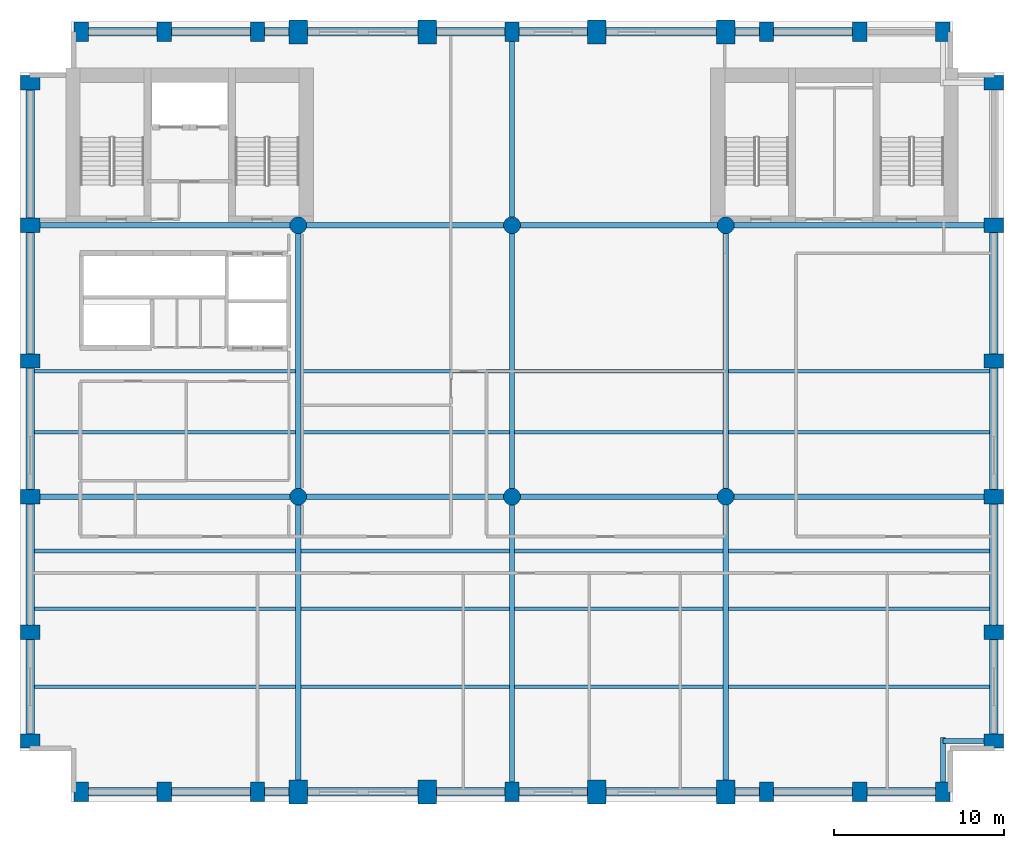
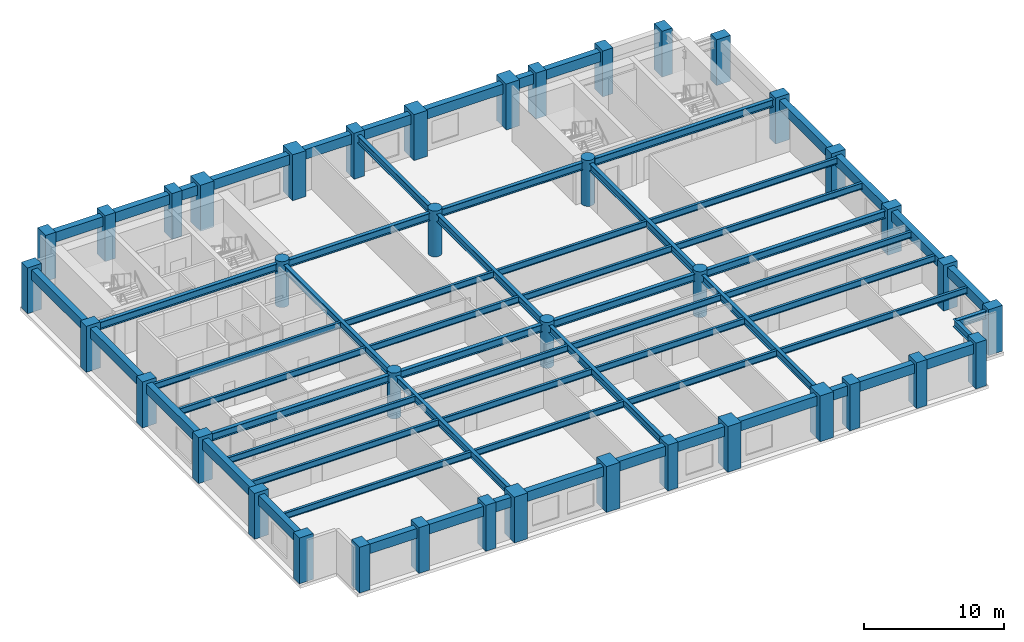
# One storey, part 1 of 8: 65 beams, 40 columns.
"""IFC4 building model written with IfcOpenShell, lengths in metres."""

from ifc_helpers import new_model, si_unit, direction, frame, origin, origin_2d, place, context, subcontext, project, spatial, rectangle, circle, i_section, extrude, material, material_profile, profile_set, type_object, element, save


model = new_model("IFC4")

# Units and contexts
model_context = context("Model", 3, precision=1e-05, world=origin(), true_north=direction((0.0, 1.0)))
body_context = subcontext(model_context, "Body", "Model", "MODEL_VIEW")
ifc_project = project(units=[si_unit("LENGTHUNIT", "METRE"), si_unit("AREAUNIT", "SQUARE_METRE"), si_unit("VOLUMEUNIT", "CUBIC_METRE"), si_unit("PLANEANGLEUNIT", "RADIAN"), si_unit("MASSUNIT", "GRAM", prefix="KILO")], contexts=[model_context])

# Site, building, storey
site_placement = place(None, origin())
site = spatial("IfcSite", under=ifc_project, at=site_placement, CompositionType="ELEMENT")
building_placement = place(site_placement, origin())
building = spatial("IfcBuilding", under=site, at=building_placement, Name="Sulina Concourse Tower", CompositionType="ELEMENT")
storey_placement = place(building_placement, frame((0.0, 0.0, 116.60009765625)))
storey = spatial("IfcBuildingStorey", under=building, at=storey_placement, Name="L28", CompositionType="ELEMENT", Elevation=116.60009765625)

# Columns
ifc_material_1 = material(Name="Concrete C60/75", Category="concrete")
ifc_material_profile_1 = material_profile(ifc_material_1, circle(Radius=0.5, at=origin_2d()), Name="RC D1000")
ifc_profile_set_1 = profile_set([ifc_material_profile_1], Name="Concrete C60/75")
column_type_1 = type_object("IfcColumnType", Name="Lower Interior Circular Column D1000", PredefinedType="COLUMN", material=ifc_profile_set_1)
for number, where, z_axis, x_axis, name in (
    (1, (16.39990234375, 18.0, 0.0), (0.0, 0.0, 1.0), (1.0, 0.0, 0.0), "L28 structural column IC-M-164"),
    (2, (16.39990234375, 34.0, 0.0), (0.0, 0.0, 1.0), (1.0, 0.0, 0.0), "L28 structural column IC-N-164"),
    (3, (29.0, 18.0, 0.0), (0.0, 0.0, 1.0), (1.0, 0.0, 0.0), "L28 structural column IC-M-290"),
    (4, (29.0, 34.0, 0.0), (0.0, 0.0, 1.0), (1.0, 0.0, 0.0), "L28 structural column IC-N-290"),
    (5, (41.60009765625, 18.0, 0.0), (0.0, 0.0, 1.0), (1.0, 0.0, 0.0), "L28 structural column IC-M-416"),
    (6, (41.60009765625, 34.0, 0.0), (0.0, 0.0, 1.0), (1.0, 0.0, 0.0), "L28 structural column IC-N-416"),
):
    element("IfcColumn", number, at=place(storey_placement, frame(where, z_axis=z_axis, x_axis=x_axis)), inside=storey, type_object=column_type_1, Name=name, PredefinedType="COLUMN", context=body_context, shape_type="SweptSolid", body=[
        extrude(circle(Radius=0.5, at=origin_2d()), origin(), (0.0, 0.0, 1.0), 4.0),
    ])
ifc_material_2 = material(Name="Concrete C60/75", Category="concrete")
ifc_material_profile_2 = material_profile(ifc_material_2, rectangle(XDim=1.10009765625, YDim=1.39990234375, at=origin_2d()), Name="RC 1100x1400")
ifc_profile_set_2 = profile_set([ifc_material_profile_2], Name="Concrete C60/75")
column_type_2 = type_object("IfcColumnType", Name="Mid-Rise Portal Column 1100x1400", PredefinedType="COLUMN", material=ifc_profile_set_2)
for number, where, z_axis, x_axis, name in (
    (7, (16.39990234375, 0.60009765625, 0.0), (0.0, 0.0, 1.0), (1.0, 0.0, 0.0), "L28 structural column TP-S-164"),
    (8, (16.39990234375, 45.39990234375, 0.0), (0.0, 0.0, 1.0), (1.0, 0.0, 0.0), "L28 structural column TP-N-164"),
    (9, (24.0, 0.60009765625, 0.0), (0.0, 0.0, 1.0), (1.0, 0.0, 0.0), "L28 structural column TP-S-240"),
    (10, (24.0, 45.39990234375, 0.0), (0.0, 0.0, 1.0), (1.0, 0.0, 0.0), "L28 structural column TP-N-240"),
    (11, (34.0, 0.60009765625, 0.0), (0.0, 0.0, 1.0), (1.0, 0.0, 0.0), "L28 structural column TP-S-340"),
    (12, (34.0, 45.39990234375, 0.0), (0.0, 0.0, 1.0), (1.0, 0.0, 0.0), "L28 structural column TP-N-340"),
    (13, (41.60009765625, 0.60009765625, 0.0), (0.0, 0.0, 1.0), (1.0, 0.0, 0.0), "L28 structural column TP-S-416"),
    (14, (41.60009765625, 45.39990234375, 0.0), (0.0, 0.0, 1.0), (1.0, 0.0, 0.0), "L28 structural column TP-N-416"),
):
    element("IfcColumn", number, at=place(storey_placement, frame(where, z_axis=z_axis, x_axis=x_axis)), inside=storey, type_object=column_type_2, Name=name, PredefinedType="COLUMN", context=body_context, shape_type="SweptSolid", body=[
        extrude(rectangle(XDim=1.10009765625, YDim=1.39990234375, at=origin_2d()), origin(), (0.0, 0.0, 1.0), 4.0),
    ])
ifc_material_3 = material(Name="Precast concrete C60/75", Category="concrete")
ifc_material_profile_3 = material_profile(ifc_material_3, rectangle(XDim=0.85009765625, YDim=1.14990234375, at=origin_2d()), Name="PC 850x1150")
ifc_profile_set_3 = profile_set([ifc_material_profile_3], Name="Precast concrete C60/75")
column_type_3 = type_object("IfcColumnType", Name="Precast Tube Pier Zone 2 850x1150", PredefinedType="COLUMN", material=ifc_profile_set_3)
for number, where, z_axis, x_axis, name in (
    (15, (3.60009765625, 0.60009765625, 0.0), (0.0, 0.0, 1.0), (1.0, 0.0, 0.0), "L28 structural column TP-S-36"),
    (16, (3.60009765625, 45.39990234375, 0.0), (0.0, 0.0, 1.0), (1.0, 0.0, 0.0), "L28 structural column TP-N-36"),
    (17, (8.5, 0.60009765625, 0.0), (0.0, 0.0, 1.0), (1.0, 0.0, 0.0), "L28 structural column TP-S-85"),
    (18, (8.5, 45.39990234375, 0.0), (0.0, 0.0, 1.0), (1.0, 0.0, 0.0), "L28 structural column TP-N-85"),
    (19, (14.0, 0.60009765625, 0.0), (0.0, 0.0, 1.0), (1.0, 0.0, 0.0), "L28 structural column TP-S-140"),
    (20, (14.0, 45.39990234375, 0.0), (0.0, 0.0, 1.0), (1.0, 0.0, 0.0), "L28 structural column TP-N-140"),
    (21, (29.0, 0.60009765625, 0.0), (0.0, 0.0, 1.0), (1.0, 0.0, 0.0), "L28 structural column TP-S-290"),
    (22, (29.0, 45.39990234375, 0.0), (0.0, 0.0, 1.0), (1.0, 0.0, 0.0), "L28 structural column TP-N-290"),
    (23, (44.0, 0.60009765625, 0.0), (0.0, 0.0, 1.0), (1.0, 0.0, 0.0), "L28 structural column TP-S-440"),
    (24, (44.0, 45.39990234375, 0.0), (0.0, 0.0, 1.0), (1.0, 0.0, 0.0), "L28 structural column TP-N-440"),
    (25, (49.5, 0.60009765625, 0.0), (0.0, 0.0, 1.0), (1.0, 0.0, 0.0), "L28 structural column TP-S-495"),
    (26, (49.5, 45.39990234375, 0.0), (0.0, 0.0, 1.0), (1.0, 0.0, 0.0), "L28 structural column TP-N-495"),
    (27, (54.39990234375, 0.60009765625, 0.0), (0.0, 0.0, 1.0), (1.0, 0.0, 0.0), "L28 structural column TP-S-544"),
    (28, (54.39990234375, 45.39990234375, 0.0), (0.0, 0.0, 1.0), (1.0, 0.0, 0.0), "L28 structural column TP-N-544"),
    (29, (0.60009765625, 3.60009765625, 0.0), (0.0, 0.0, 1.0), (0.0, 1.0, 0.0), "L28 structural column TP-W-36"),
    (30, (57.39990234375, 3.60009765625, 0.0), (0.0, 0.0, 1.0), (0.0, 1.0, 0.0), "L28 structural column TP-E-36"),
    (31, (0.60009765625, 10.0, 0.0), (0.0, 0.0, 1.0), (0.0, 1.0, 0.0), "L28 structural column TP-W-100"),
    (32, (57.39990234375, 10.0, 0.0), (0.0, 0.0, 1.0), (0.0, 1.0, 0.0), "L28 structural column TP-E-100"),
    (33, (0.60009765625, 18.0, 0.0), (0.0, 0.0, 1.0), (0.0, 1.0, 0.0), "L28 structural column TP-W-180"),
    (34, (57.39990234375, 18.0, 0.0), (0.0, 0.0, 1.0), (0.0, 1.0, 0.0), "L28 structural column TP-E-180"),
    (35, (0.60009765625, 26.0, 0.0), (0.0, 0.0, 1.0), (0.0, 1.0, 0.0), "L28 structural column TP-W-260"),
    (36, (57.39990234375, 26.0, 0.0), (0.0, 0.0, 1.0), (0.0, 1.0, 0.0), "L28 structural column TP-E-260"),
    (37, (0.60009765625, 34.0, 0.0), (0.0, 0.0, 1.0), (0.0, 1.0, 0.0), "L28 structural column TP-W-340"),
    (38, (57.39990234375, 34.0, 0.0), (0.0, 0.0, 1.0), (0.0, 1.0, 0.0), "L28 structural column TP-E-340"),
    (39, (0.60009765625, 42.39990234375, 0.0), (0.0, 0.0, 1.0), (0.0, 1.0, 0.0), "L28 structural column TP-W-424"),
    (40, (57.39990234375, 42.39990234375, 0.0), (0.0, 0.0, 1.0), (0.0, 1.0, 0.0), "L28 structural column TP-E-424"),
):
    element("IfcColumn", number, at=place(storey_placement, frame(where, z_axis=z_axis, x_axis=x_axis)), inside=storey, type_object=column_type_3, Name=name, PredefinedType="COLUMN", context=body_context, shape_type="SweptSolid", body=[
        extrude(rectangle(XDim=0.85009765625, YDim=1.14990234375, at=origin_2d()), origin(), (0.0, 0.0, 1.0), 4.0),
    ])

# Beams
ifc_material_4 = material(Name="Steel S355", Category="steel")
ifc_material_profile_4 = material_profile(ifc_material_4, i_section(OverallWidth=0.2099609375, OverallDepth=0.550048828125, WebThickness=0.010986328125, FlangeThickness=0.01708984375, at=origin_2d()), Name="IPE 550")
ifc_profile_set_4 = profile_set([ifc_material_profile_4], Name="Steel S355")
beam_type_1 = type_object("IfcBeamType", Name="Composite Floor Joist IPE550", PredefinedType="JOIST", material=ifc_profile_set_4)
beam_1_placement = place(storey_placement, frame((0.85009765625, 6.800048828125, 3.449951171875), z_axis=(1.0, 0.0, 0.0), x_axis=(0.0, 1.0, 0.0)))
element("IfcBeam", 41, at=beam_1_placement, inside=storey, type_object=beam_type_1, Name="FJ-J06-1-L28", PredefinedType="JOIST", context=body_context, shape_type="SweptSolid", body=[
    extrude(i_section(OverallWidth=0.2099609375, OverallDepth=0.550048828125, WebThickness=0.010986328125, FlangeThickness=0.01708984375, at=origin_2d()), origin(), (0.0, 0.0, 1.0), 15.39990234375),
])
for number, where, z_axis, x_axis, name in (
    (42, (16.550048828125, 6.800048828125, 3.449951171875), (1.0, 0.0, 0.0), (0.0, 1.0, 0.0), "FJ-J06-2-L28"),
    (43, (29.14990234375, 6.800048828125, 3.449951171875), (1.0, 0.0, 0.0), (0.0, 1.0, 0.0), "FJ-J06-3-L28"),
):
    element("IfcBeam", number, at=place(storey_placement, frame(where, z_axis=z_axis, x_axis=x_axis)), inside=storey, type_object=beam_type_1, Name=name, PredefinedType="JOIST", context=body_context, shape_type="SweptSolid", body=[
        extrude(i_section(OverallWidth=0.2099609375, OverallDepth=0.550048828125, WebThickness=0.010986328125, FlangeThickness=0.01708984375, at=origin_2d()), origin(), (0.0, 0.0, 1.0), 12.300048828125),
    ])
for number, where, z_axis, x_axis, name in (
    (44, (41.75, 6.800048828125, 3.449951171875), (1.0, 0.0, 0.0), (0.0, 1.0, 0.0), "FJ-J06-4-L28"),
    (45, (0.85009765625, 11.39990234375, 3.449951171875), (1.0, 0.0, 0.0), (0.0, 1.0, 0.0), "FJ-J11-1-L28"),
):
    element("IfcBeam", number, at=place(storey_placement, frame(where, z_axis=z_axis, x_axis=x_axis)), inside=storey, type_object=beam_type_1, Name=name, PredefinedType="JOIST", context=body_context, shape_type="SweptSolid", body=[
        extrude(i_section(OverallWidth=0.2099609375, OverallDepth=0.550048828125, WebThickness=0.010986328125, FlangeThickness=0.01708984375, at=origin_2d()), origin(), (0.0, 0.0, 1.0), 15.39990234375),
    ])
for number, where, z_axis, x_axis, name in (
    (46, (16.550048828125, 11.39990234375, 3.449951171875), (1.0, 0.0, 0.0), (0.0, 1.0, 0.0), "FJ-J11-2-L28"),
    (47, (29.14990234375, 11.39990234375, 3.449951171875), (1.0, 0.0, 0.0), (0.0, 1.0, 0.0), "FJ-J11-3-L28"),
):
    element("IfcBeam", number, at=place(storey_placement, frame(where, z_axis=z_axis, x_axis=x_axis)), inside=storey, type_object=beam_type_1, Name=name, PredefinedType="JOIST", context=body_context, shape_type="SweptSolid", body=[
        extrude(i_section(OverallWidth=0.2099609375, OverallDepth=0.550048828125, WebThickness=0.010986328125, FlangeThickness=0.01708984375, at=origin_2d()), origin(), (0.0, 0.0, 1.0), 12.300048828125),
    ])
for number, where, z_axis, x_axis, name in (
    (48, (41.75, 11.39990234375, 3.449951171875), (1.0, 0.0, 0.0), (0.0, 1.0, 0.0), "FJ-J11-4-L28"),
    (49, (0.85009765625, 14.800048828125, 3.449951171875), (1.0, 0.0, 0.0), (0.0, 1.0, 0.0), "FJ-J15-1-L28"),
):
    element("IfcBeam", number, at=place(storey_placement, frame(where, z_axis=z_axis, x_axis=x_axis)), inside=storey, type_object=beam_type_1, Name=name, PredefinedType="JOIST", context=body_context, shape_type="SweptSolid", body=[
        extrude(i_section(OverallWidth=0.2099609375, OverallDepth=0.550048828125, WebThickness=0.010986328125, FlangeThickness=0.01708984375, at=origin_2d()), origin(), (0.0, 0.0, 1.0), 15.39990234375),
    ])
for number, where, z_axis, x_axis, name in (
    (50, (16.550048828125, 14.800048828125, 3.449951171875), (1.0, 0.0, 0.0), (0.0, 1.0, 0.0), "FJ-J15-2-L28"),
    (51, (29.14990234375, 14.800048828125, 3.449951171875), (1.0, 0.0, 0.0), (0.0, 1.0, 0.0), "FJ-J15-3-L28"),
):
    element("IfcBeam", number, at=place(storey_placement, frame(where, z_axis=z_axis, x_axis=x_axis)), inside=storey, type_object=beam_type_1, Name=name, PredefinedType="JOIST", context=body_context, shape_type="SweptSolid", body=[
        extrude(i_section(OverallWidth=0.2099609375, OverallDepth=0.550048828125, WebThickness=0.010986328125, FlangeThickness=0.01708984375, at=origin_2d()), origin(), (0.0, 0.0, 1.0), 12.300048828125),
    ])
for number, where, z_axis, x_axis, name in (
    (52, (41.75, 14.800048828125, 3.449951171875), (1.0, 0.0, 0.0), (0.0, 1.0, 0.0), "FJ-J15-4-L28"),
    (53, (0.85009765625, 21.800048828125, 3.449951171875), (1.0, 0.0, 0.0), (0.0, 1.0, 0.0), "FJ-J22-1-L28"),
):
    element("IfcBeam", number, at=place(storey_placement, frame(where, z_axis=z_axis, x_axis=x_axis)), inside=storey, type_object=beam_type_1, Name=name, PredefinedType="JOIST", context=body_context, shape_type="SweptSolid", body=[
        extrude(i_section(OverallWidth=0.2099609375, OverallDepth=0.550048828125, WebThickness=0.010986328125, FlangeThickness=0.01708984375, at=origin_2d()), origin(), (0.0, 0.0, 1.0), 15.39990234375),
    ])
for number, where, z_axis, x_axis, name in (
    (54, (16.550048828125, 21.800048828125, 3.449951171875), (1.0, 0.0, 0.0), (0.0, 1.0, 0.0), "FJ-J22-2-L28"),
    (55, (29.14990234375, 21.800048828125, 3.449951171875), (1.0, 0.0, 0.0), (0.0, 1.0, 0.0), "FJ-J22-3-L28"),
):
    element("IfcBeam", number, at=place(storey_placement, frame(where, z_axis=z_axis, x_axis=x_axis)), inside=storey, type_object=beam_type_1, Name=name, PredefinedType="JOIST", context=body_context, shape_type="SweptSolid", body=[
        extrude(i_section(OverallWidth=0.2099609375, OverallDepth=0.550048828125, WebThickness=0.010986328125, FlangeThickness=0.01708984375, at=origin_2d()), origin(), (0.0, 0.0, 1.0), 12.300048828125),
    ])
for number, where, z_axis, x_axis, name in (
    (56, (41.75, 21.800048828125, 3.449951171875), (1.0, 0.0, 0.0), (0.0, 1.0, 0.0), "FJ-J22-4-L28"),
    (57, (0.85009765625, 25.39990234375, 3.449951171875), (1.0, 0.0, 0.0), (0.0, 1.0, 0.0), "FJ-J25-1-L28"),
):
    element("IfcBeam", number, at=place(storey_placement, frame(where, z_axis=z_axis, x_axis=x_axis)), inside=storey, type_object=beam_type_1, Name=name, PredefinedType="JOIST", context=body_context, shape_type="SweptSolid", body=[
        extrude(i_section(OverallWidth=0.2099609375, OverallDepth=0.550048828125, WebThickness=0.010986328125, FlangeThickness=0.01708984375, at=origin_2d()), origin(), (0.0, 0.0, 1.0), 15.39990234375),
    ])
for number, where, z_axis, x_axis, name in (
    (58, (16.550048828125, 25.39990234375, 3.449951171875), (1.0, 0.0, 0.0), (0.0, 1.0, 0.0), "FJ-J25-2-L28"),
    (59, (29.14990234375, 25.39990234375, 3.449951171875), (1.0, 0.0, 0.0), (0.0, 1.0, 0.0), "FJ-J25-3-L28"),
):
    element("IfcBeam", number, at=place(storey_placement, frame(where, z_axis=z_axis, x_axis=x_axis)), inside=storey, type_object=beam_type_1, Name=name, PredefinedType="JOIST", context=body_context, shape_type="SweptSolid", body=[
        extrude(i_section(OverallWidth=0.2099609375, OverallDepth=0.550048828125, WebThickness=0.010986328125, FlangeThickness=0.01708984375, at=origin_2d()), origin(), (0.0, 0.0, 1.0), 12.300048828125),
    ])
beam_2_placement = place(storey_placement, frame((41.75, 25.39990234375, 3.449951171875), z_axis=(1.0, 0.0, 0.0), x_axis=(0.0, 1.0, 0.0)))
element("IfcBeam", 60, at=beam_2_placement, inside=storey, type_object=beam_type_1, Name="FJ-J25-4-L28", PredefinedType="JOIST", context=body_context, shape_type="SweptSolid", body=[
    extrude(i_section(OverallWidth=0.2099609375, OverallDepth=0.550048828125, WebThickness=0.010986328125, FlangeThickness=0.01708984375, at=origin_2d()), origin(), (0.0, 0.0, 1.0), 15.39990234375),
])
ifc_material_5 = material(Name="Steel S355", Category="steel")
ifc_material_profile_5 = material_profile(ifc_material_5, i_section(OverallWidth=0.300048828125, OverallDepth=0.64990234375, WebThickness=0.01611328125, FlangeThickness=0.031005859375, at=origin_2d()), Name="HE 650 B")
ifc_profile_set_5 = profile_set([ifc_material_profile_5], Name="Steel S355")
beam_type_2 = type_object("IfcBeamType", Name="Floor Primary Girder Zone 2 HE650B", PredefinedType="BEAM", material=ifc_profile_set_5)
beam_3_placement = place(storey_placement, frame((54.39990234375, 3.60009765625, 3.39990234375), z_axis=(1.0, 0.0, 0.0), x_axis=(0.0, 1.0, 0.0)))
element("IfcBeam", 61, at=beam_3_placement, inside=storey, type_object=beam_type_2, Name="TIE-SE-L28", PredefinedType="BEAM", context=body_context, shape_type="SweptSolid", body=[
    extrude(i_section(OverallWidth=0.300048828125, OverallDepth=0.64990234375, WebThickness=0.01611328125, FlangeThickness=0.031005859375, at=origin_2d()), origin(), (0.0, 0.0, 1.0), 2.59521484375),
])
beam_4_placement = place(storey_placement, frame((54.39990234375, 1.0048828125, 3.39990234375), z_axis=(0.0, 1.0, 0.0), x_axis=(-1.0, 0.0, 0.0)))
element("IfcBeam", 62, at=beam_4_placement, inside=storey, type_object=beam_type_2, Name="TIE-SES-L28", PredefinedType="BEAM", context=body_context, shape_type="SweptSolid", body=[
    extrude(i_section(OverallWidth=0.300048828125, OverallDepth=0.64990234375, WebThickness=0.01611328125, FlangeThickness=0.031005859375, at=origin_2d()), origin(), (0.0, 0.0, 1.0), 2.795166015625),
])
beam_5_placement = place(storey_placement, frame((1.0048828125, 18.0, 3.39990234375), z_axis=(1.0, 0.0, 0.0), x_axis=(0.0, 1.0, 0.0)))
element("IfcBeam", 63, at=beam_5_placement, inside=storey, type_object=beam_type_2, Name="FG-EW1-L28", PredefinedType="BEAM", context=body_context, shape_type="SweptSolid", body=[
    extrude(i_section(OverallWidth=0.300048828125, OverallDepth=0.64990234375, WebThickness=0.01611328125, FlangeThickness=0.031005859375, at=origin_2d()), origin(), (0.0, 0.0, 1.0), 14.9150390625),
])
for number, where, z_axis, x_axis, name in (
    (64, (16.8798828125, 18.0, 3.39990234375), (1.0, 0.0, 0.0), (0.0, 1.0, 0.0), "FG-EW2-L28"),
    (65, (29.47998046875, 18.0, 3.39990234375), (1.0, 0.0, 0.0), (0.0, 1.0, 0.0), "FG-EW3-L28"),
):
    element("IfcBeam", number, at=place(storey_placement, frame(where, z_axis=z_axis, x_axis=x_axis)), inside=storey, type_object=beam_type_2, Name=name, PredefinedType="BEAM", context=body_context, shape_type="SweptSolid", body=[
        extrude(i_section(OverallWidth=0.300048828125, OverallDepth=0.64990234375, WebThickness=0.01611328125, FlangeThickness=0.031005859375, at=origin_2d()), origin(), (0.0, 0.0, 1.0), 11.64013671875),
    ])
for number, where, z_axis, x_axis, name in (
    (66, (42.080078125, 18.0, 3.39990234375), (1.0, 0.0, 0.0), (0.0, 1.0, 0.0), "FG-EW4-L28"),
    (67, (1.0048828125, 34.0, 3.39990234375), (1.0, 0.0, 0.0), (0.0, 1.0, 0.0), "FG-EWN1-L28"),
):
    element("IfcBeam", number, at=place(storey_placement, frame(where, z_axis=z_axis, x_axis=x_axis)), inside=storey, type_object=beam_type_2, Name=name, PredefinedType="BEAM", context=body_context, shape_type="SweptSolid", body=[
        extrude(i_section(OverallWidth=0.300048828125, OverallDepth=0.64990234375, WebThickness=0.01611328125, FlangeThickness=0.031005859375, at=origin_2d()), origin(), (0.0, 0.0, 1.0), 14.9150390625),
    ])
for number, where, z_axis, x_axis, name in (
    (68, (16.8798828125, 34.0, 3.39990234375), (1.0, 0.0, 0.0), (0.0, 1.0, 0.0), "FG-EWN2-L28"),
    (69, (29.47998046875, 34.0, 3.39990234375), (1.0, 0.0, 0.0), (0.0, 1.0, 0.0), "FG-EWN3-L28"),
):
    element("IfcBeam", number, at=place(storey_placement, frame(where, z_axis=z_axis, x_axis=x_axis)), inside=storey, type_object=beam_type_2, Name=name, PredefinedType="BEAM", context=body_context, shape_type="SweptSolid", body=[
        extrude(i_section(OverallWidth=0.300048828125, OverallDepth=0.64990234375, WebThickness=0.01611328125, FlangeThickness=0.031005859375, at=origin_2d()), origin(), (0.0, 0.0, 1.0), 11.64013671875),
    ])
beam_6_placement = place(storey_placement, frame((42.080078125, 34.0, 3.39990234375), z_axis=(1.0, 0.0, 0.0), x_axis=(0.0, 1.0, 0.0)))
element("IfcBeam", 70, at=beam_6_placement, inside=storey, type_object=beam_type_2, Name="FG-EWN4-L28", PredefinedType="BEAM", context=body_context, shape_type="SweptSolid", body=[
    extrude(i_section(OverallWidth=0.300048828125, OverallDepth=0.64990234375, WebThickness=0.01611328125, FlangeThickness=0.031005859375, at=origin_2d()), origin(), (0.0, 0.0, 1.0), 14.9150390625),
])
beam_7_placement = place(storey_placement, frame((16.39990234375, 1.1298828125, 3.39990234375), z_axis=(0.0, 1.0, 0.0), x_axis=(-1.0, 0.0, 0.0)))
element("IfcBeam", 71, at=beam_7_placement, inside=storey, type_object=beam_type_2, Name="FG-NSA-16-L28", PredefinedType="BEAM", context=body_context, shape_type="SweptSolid", body=[
    extrude(i_section(OverallWidth=0.300048828125, OverallDepth=0.64990234375, WebThickness=0.01611328125, FlangeThickness=0.031005859375, at=origin_2d()), origin(), (0.0, 0.0, 1.0), 16.39013671875),
])
beam_8_placement = place(storey_placement, frame((16.39990234375, 18.47998046875, 3.39990234375), z_axis=(0.0, 1.0, 0.0), x_axis=(-1.0, 0.0, 0.0)))
element("IfcBeam", 72, at=beam_8_placement, inside=storey, type_object=beam_type_2, Name="FG-NSB-16-L28", PredefinedType="BEAM", context=body_context, shape_type="SweptSolid", body=[
    extrude(i_section(OverallWidth=0.300048828125, OverallDepth=0.64990234375, WebThickness=0.01611328125, FlangeThickness=0.031005859375, at=origin_2d()), origin(), (0.0, 0.0, 1.0), 15.0400390625),
])
beam_9_placement = place(storey_placement, frame((29.0, 1.0048828125, 3.39990234375), z_axis=(0.0, 1.0, 0.0), x_axis=(-1.0, 0.0, 0.0)))
element("IfcBeam", 73, at=beam_9_placement, inside=storey, type_object=beam_type_2, Name="FG-NSA-29-L28", PredefinedType="BEAM", context=body_context, shape_type="SweptSolid", body=[
    extrude(i_section(OverallWidth=0.300048828125, OverallDepth=0.64990234375, WebThickness=0.01611328125, FlangeThickness=0.031005859375, at=origin_2d()), origin(), (0.0, 0.0, 1.0), 16.51513671875),
])
beam_10_placement = place(storey_placement, frame((29.0, 18.47998046875, 3.39990234375), z_axis=(0.0, 1.0, 0.0), x_axis=(-1.0, 0.0, 0.0)))
element("IfcBeam", 74, at=beam_10_placement, inside=storey, type_object=beam_type_2, Name="FG-NSB-29-L28", PredefinedType="BEAM", context=body_context, shape_type="SweptSolid", body=[
    extrude(i_section(OverallWidth=0.300048828125, OverallDepth=0.64990234375, WebThickness=0.01611328125, FlangeThickness=0.031005859375, at=origin_2d()), origin(), (0.0, 0.0, 1.0), 15.0400390625),
])
beam_11_placement = place(storey_placement, frame((29.0, 34.47998046875, 3.39990234375), z_axis=(0.0, 1.0, 0.0), x_axis=(-1.0, 0.0, 0.0)))
element("IfcBeam", 75, at=beam_11_placement, inside=storey, type_object=beam_type_2, Name="FG-NSC-29-L28", PredefinedType="BEAM", context=body_context, shape_type="SweptSolid", body=[
    extrude(i_section(OverallWidth=0.300048828125, OverallDepth=0.64990234375, WebThickness=0.01611328125, FlangeThickness=0.031005859375, at=origin_2d()), origin(), (0.0, 0.0, 1.0), 10.51513671875),
])
beam_12_placement = place(storey_placement, frame((41.60009765625, 1.1298828125, 3.39990234375), z_axis=(0.0, 1.0, 0.0), x_axis=(-1.0, 0.0, 0.0)))
element("IfcBeam", 76, at=beam_12_placement, inside=storey, type_object=beam_type_2, Name="FG-NSA-41-L28", PredefinedType="BEAM", context=body_context, shape_type="SweptSolid", body=[
    extrude(i_section(OverallWidth=0.300048828125, OverallDepth=0.64990234375, WebThickness=0.01611328125, FlangeThickness=0.031005859375, at=origin_2d()), origin(), (0.0, 0.0, 1.0), 16.39013671875),
])
beam_13_placement = place(storey_placement, frame((41.60009765625, 18.47998046875, 3.39990234375), z_axis=(0.0, 1.0, 0.0), x_axis=(-1.0, 0.0, 0.0)))
element("IfcBeam", 77, at=beam_13_placement, inside=storey, type_object=beam_type_2, Name="FG-NSB-41-L28", PredefinedType="BEAM", context=body_context, shape_type="SweptSolid", body=[
    extrude(i_section(OverallWidth=0.300048828125, OverallDepth=0.64990234375, WebThickness=0.01611328125, FlangeThickness=0.031005859375, at=origin_2d()), origin(), (0.0, 0.0, 1.0), 15.0400390625),
])
ifc_material_6 = material(Name="Precast concrete C50/60", Category="concrete")
ifc_material_profile_6 = material_profile(ifc_material_6, rectangle(XDim=0.5, YDim=0.85009765625, at=origin_2d()), Name="RC 500x850")
ifc_profile_set_6 = profile_set([ifc_material_profile_6], Name="Precast concrete C50/60")
beam_type_3 = type_object("IfcBeamType", Name="Lower Precast Spandrel Edge Beam 500x850", PredefinedType="BEAM", material=ifc_profile_set_6)
beam_14_placement = place(storey_placement, frame((4.0048828125, 0.60009765625, 3.2998046875), z_axis=(1.0, 0.0, 0.0), x_axis=(0.0, 1.0, 0.0)))
element("IfcBeam", 78, at=beam_14_placement, inside=storey, type_object=beam_type_3, Name="SP-S1-L28", PredefinedType="BEAM", context=body_context, shape_type="SweptSolid", body=[
    extrude(rectangle(XDim=0.5, YDim=0.85009765625, at=origin_2d()), origin(), (0.0, 0.0, 1.0), 4.090087890625),
])
beam_15_placement = place(storey_placement, frame((8.905029296875, 0.60009765625, 3.2998046875), z_axis=(1.0, 0.0, 0.0), x_axis=(0.0, 1.0, 0.0)))
element("IfcBeam", 79, at=beam_15_placement, inside=storey, type_object=beam_type_3, Name="SP-S2-L28", PredefinedType="BEAM", context=body_context, shape_type="SweptSolid", body=[
    extrude(rectangle(XDim=0.5, YDim=0.85009765625, at=origin_2d()), origin(), (0.0, 0.0, 1.0), 4.68994140625),
])
beam_16_placement = place(storey_placement, frame((14.405029296875, 0.60009765625, 3.2998046875), z_axis=(1.0, 0.0, 0.0), x_axis=(0.0, 1.0, 0.0)))
element("IfcBeam", 80, at=beam_16_placement, inside=storey, type_object=beam_type_3, Name="SP-S3-L28", PredefinedType="BEAM", context=body_context, shape_type="SweptSolid", body=[
    extrude(rectangle(XDim=0.5, YDim=0.85009765625, at=origin_2d()), origin(), (0.0, 0.0, 1.0), 1.465087890625),
])
beam_17_placement = place(storey_placement, frame((16.929931640625, 0.60009765625, 3.2998046875), z_axis=(1.0, 0.0, 0.0), x_axis=(0.0, 1.0, 0.0)))
element("IfcBeam", 81, at=beam_17_placement, inside=storey, type_object=beam_type_3, Name="SP-S4-L28", PredefinedType="BEAM", context=body_context, shape_type="SweptSolid", body=[
    extrude(rectangle(XDim=0.5, YDim=0.85009765625, at=origin_2d()), origin(), (0.0, 0.0, 1.0), 6.5400390625),
])
for number, where, z_axis, x_axis, name in (
    (82, (24.530029296875, 0.60009765625, 3.2998046875), (1.0, 0.0, 0.0), (0.0, 1.0, 0.0), "SP-S5-L28"),
    (83, (29.405029296875, 0.60009765625, 3.2998046875), (1.0, 0.0, 0.0), (0.0, 1.0, 0.0), "SP-S6-L28"),
):
    element("IfcBeam", number, at=place(storey_placement, frame(where, z_axis=z_axis, x_axis=x_axis)), inside=storey, type_object=beam_type_3, Name=name, PredefinedType="BEAM", context=body_context, shape_type="SweptSolid", body=[
        extrude(rectangle(XDim=0.5, YDim=0.85009765625, at=origin_2d()), origin(), (0.0, 0.0, 1.0), 4.06494140625),
    ])
beam_18_placement = place(storey_placement, frame((34.530029296875, 0.60009765625, 3.2998046875), z_axis=(1.0, 0.0, 0.0), x_axis=(0.0, 1.0, 0.0)))
element("IfcBeam", 84, at=beam_18_placement, inside=storey, type_object=beam_type_3, Name="SP-S7-L28", PredefinedType="BEAM", context=body_context, shape_type="SweptSolid", body=[
    extrude(rectangle(XDim=0.5, YDim=0.85009765625, at=origin_2d()), origin(), (0.0, 0.0, 1.0), 6.5400390625),
])
beam_19_placement = place(storey_placement, frame((42.1298828125, 0.60009765625, 3.2998046875), z_axis=(1.0, 0.0, 0.0), x_axis=(0.0, 1.0, 0.0)))
element("IfcBeam", 85, at=beam_19_placement, inside=storey, type_object=beam_type_3, Name="SP-S8-L28", PredefinedType="BEAM", context=body_context, shape_type="SweptSolid", body=[
    extrude(rectangle(XDim=0.5, YDim=0.85009765625, at=origin_2d()), origin(), (0.0, 0.0, 1.0), 1.465087890625),
])
beam_20_placement = place(storey_placement, frame((44.405029296875, 0.60009765625, 3.2998046875), z_axis=(1.0, 0.0, 0.0), x_axis=(0.0, 1.0, 0.0)))
element("IfcBeam", 86, at=beam_20_placement, inside=storey, type_object=beam_type_3, Name="SP-S9-L28", PredefinedType="BEAM", context=body_context, shape_type="SweptSolid", body=[
    extrude(rectangle(XDim=0.5, YDim=0.85009765625, at=origin_2d()), origin(), (0.0, 0.0, 1.0), 4.68994140625),
])
for number, where, z_axis, x_axis, name in (
    (87, (49.905029296875, 0.60009765625, 3.2998046875), (1.0, 0.0, 0.0), (0.0, 1.0, 0.0), "SP-S10-L28"),
    (88, (4.0048828125, 45.39990234375, 3.2998046875), (1.0, 0.0, 0.0), (0.0, 1.0, 0.0), "SP-N1-L28"),
):
    element("IfcBeam", number, at=place(storey_placement, frame(where, z_axis=z_axis, x_axis=x_axis)), inside=storey, type_object=beam_type_3, Name=name, PredefinedType="BEAM", context=body_context, shape_type="SweptSolid", body=[
        extrude(rectangle(XDim=0.5, YDim=0.85009765625, at=origin_2d()), origin(), (0.0, 0.0, 1.0), 4.090087890625),
    ])
beam_21_placement = place(storey_placement, frame((8.905029296875, 45.39990234375, 3.2998046875), z_axis=(1.0, 0.0, 0.0), x_axis=(0.0, 1.0, 0.0)))
element("IfcBeam", 89, at=beam_21_placement, inside=storey, type_object=beam_type_3, Name="SP-N2-L28", PredefinedType="BEAM", context=body_context, shape_type="SweptSolid", body=[
    extrude(rectangle(XDim=0.5, YDim=0.85009765625, at=origin_2d()), origin(), (0.0, 0.0, 1.0), 4.68994140625),
])
beam_22_placement = place(storey_placement, frame((14.405029296875, 45.39990234375, 3.2998046875), z_axis=(1.0, 0.0, 0.0), x_axis=(0.0, 1.0, 0.0)))
element("IfcBeam", 90, at=beam_22_placement, inside=storey, type_object=beam_type_3, Name="SP-N3-L28", PredefinedType="BEAM", context=body_context, shape_type="SweptSolid", body=[
    extrude(rectangle(XDim=0.5, YDim=0.85009765625, at=origin_2d()), origin(), (0.0, 0.0, 1.0), 1.465087890625),
])
beam_23_placement = place(storey_placement, frame((16.929931640625, 45.39990234375, 3.2998046875), z_axis=(1.0, 0.0, 0.0), x_axis=(0.0, 1.0, 0.0)))
element("IfcBeam", 91, at=beam_23_placement, inside=storey, type_object=beam_type_3, Name="SP-N4-L28", PredefinedType="BEAM", context=body_context, shape_type="SweptSolid", body=[
    extrude(rectangle(XDim=0.5, YDim=0.85009765625, at=origin_2d()), origin(), (0.0, 0.0, 1.0), 6.5400390625),
])
for number, where, z_axis, x_axis, name in (
    (92, (24.530029296875, 45.39990234375, 3.2998046875), (1.0, 0.0, 0.0), (0.0, 1.0, 0.0), "SP-N5-L28"),
    (93, (29.405029296875, 45.39990234375, 3.2998046875), (1.0, 0.0, 0.0), (0.0, 1.0, 0.0), "SP-N6-L28"),
):
    element("IfcBeam", number, at=place(storey_placement, frame(where, z_axis=z_axis, x_axis=x_axis)), inside=storey, type_object=beam_type_3, Name=name, PredefinedType="BEAM", context=body_context, shape_type="SweptSolid", body=[
        extrude(rectangle(XDim=0.5, YDim=0.85009765625, at=origin_2d()), origin(), (0.0, 0.0, 1.0), 4.06494140625),
    ])
beam_24_placement = place(storey_placement, frame((34.530029296875, 45.39990234375, 3.2998046875), z_axis=(1.0, 0.0, 0.0), x_axis=(0.0, 1.0, 0.0)))
element("IfcBeam", 94, at=beam_24_placement, inside=storey, type_object=beam_type_3, Name="SP-N7-L28", PredefinedType="BEAM", context=body_context, shape_type="SweptSolid", body=[
    extrude(rectangle(XDim=0.5, YDim=0.85009765625, at=origin_2d()), origin(), (0.0, 0.0, 1.0), 6.5400390625),
])
beam_25_placement = place(storey_placement, frame((42.1298828125, 45.39990234375, 3.2998046875), z_axis=(1.0, 0.0, 0.0), x_axis=(0.0, 1.0, 0.0)))
element("IfcBeam", 95, at=beam_25_placement, inside=storey, type_object=beam_type_3, Name="SP-N8-L28", PredefinedType="BEAM", context=body_context, shape_type="SweptSolid", body=[
    extrude(rectangle(XDim=0.5, YDim=0.85009765625, at=origin_2d()), origin(), (0.0, 0.0, 1.0), 1.465087890625),
])
beam_26_placement = place(storey_placement, frame((44.405029296875, 45.39990234375, 3.2998046875), z_axis=(1.0, 0.0, 0.0), x_axis=(0.0, 1.0, 0.0)))
element("IfcBeam", 96, at=beam_26_placement, inside=storey, type_object=beam_type_3, Name="SP-N9-L28", PredefinedType="BEAM", context=body_context, shape_type="SweptSolid", body=[
    extrude(rectangle(XDim=0.5, YDim=0.85009765625, at=origin_2d()), origin(), (0.0, 0.0, 1.0), 4.68994140625),
])
beam_27_placement = place(storey_placement, frame((0.60009765625, 4.0048828125, 3.2998046875), z_axis=(0.0, 1.0, 0.0), x_axis=(-1.0, 0.0, 0.0)))
element("IfcBeam", 97, at=beam_27_placement, inside=storey, type_object=beam_type_3, Name="SP-W1-L28", PredefinedType="BEAM", context=body_context, shape_type="SweptSolid", body=[
    extrude(rectangle(XDim=0.5, YDim=0.85009765625, at=origin_2d()), origin(), (0.0, 0.0, 1.0), 5.590087890625),
])
for number, where, z_axis, x_axis, name in (
    (98, (0.60009765625, 10.405029296875, 3.2998046875), (0.0, 1.0, 0.0), (-1.0, 0.0, 0.0), "SP-W2-L28"),
    (99, (0.60009765625, 18.405029296875, 3.2998046875), (0.0, 1.0, 0.0), (-1.0, 0.0, 0.0), "SP-W3-L28"),
    (100, (0.60009765625, 26.405029296875, 3.2998046875), (0.0, 1.0, 0.0), (-1.0, 0.0, 0.0), "SP-W4-L28"),
):
    element("IfcBeam", number, at=place(storey_placement, frame(where, z_axis=z_axis, x_axis=x_axis)), inside=storey, type_object=beam_type_3, Name=name, PredefinedType="BEAM", context=body_context, shape_type="SweptSolid", body=[
        extrude(rectangle(XDim=0.5, YDim=0.85009765625, at=origin_2d()), origin(), (0.0, 0.0, 1.0), 7.18994140625),
    ])
beam_28_placement = place(storey_placement, frame((0.60009765625, 34.405029296875, 3.2998046875), z_axis=(0.0, 1.0, 0.0), x_axis=(-1.0, 0.0, 0.0)))
element("IfcBeam", 101, at=beam_28_placement, inside=storey, type_object=beam_type_3, Name="SP-W5-L28", PredefinedType="BEAM", context=body_context, shape_type="SweptSolid", body=[
    extrude(rectangle(XDim=0.5, YDim=0.85009765625, at=origin_2d()), origin(), (0.0, 0.0, 1.0), 7.590087890625),
])
beam_29_placement = place(storey_placement, frame((57.39990234375, 4.0048828125, 3.2998046875), z_axis=(0.0, 1.0, 0.0), x_axis=(-1.0, 0.0, 0.0)))
element("IfcBeam", 102, at=beam_29_placement, inside=storey, type_object=beam_type_3, Name="SP-E1-L28", PredefinedType="BEAM", context=body_context, shape_type="SweptSolid", body=[
    extrude(rectangle(XDim=0.5, YDim=0.85009765625, at=origin_2d()), origin(), (0.0, 0.0, 1.0), 5.590087890625),
])
for number, where, z_axis, x_axis, name in (
    (103, (57.39990234375, 10.405029296875, 3.2998046875), (0.0, 1.0, 0.0), (-1.0, 0.0, 0.0), "SP-E2-L28"),
    (104, (57.39990234375, 18.405029296875, 3.2998046875), (0.0, 1.0, 0.0), (-1.0, 0.0, 0.0), "SP-E3-L28"),
    (105, (57.39990234375, 26.405029296875, 3.2998046875), (0.0, 1.0, 0.0), (-1.0, 0.0, 0.0), "SP-E4-L28"),
):
    element("IfcBeam", number, at=place(storey_placement, frame(where, z_axis=z_axis, x_axis=x_axis)), inside=storey, type_object=beam_type_3, Name=name, PredefinedType="BEAM", context=body_context, shape_type="SweptSolid", body=[
        extrude(rectangle(XDim=0.5, YDim=0.85009765625, at=origin_2d()), origin(), (0.0, 0.0, 1.0), 7.18994140625),
    ])

save(model, "model.ifc")
